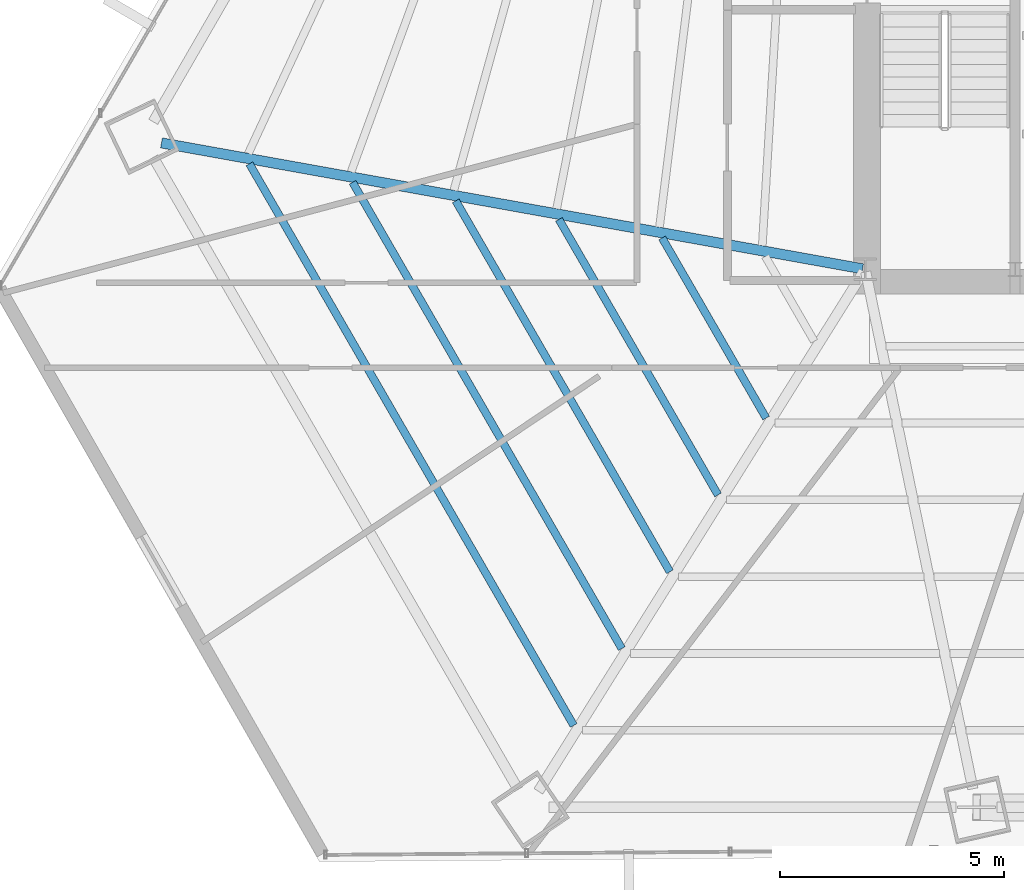
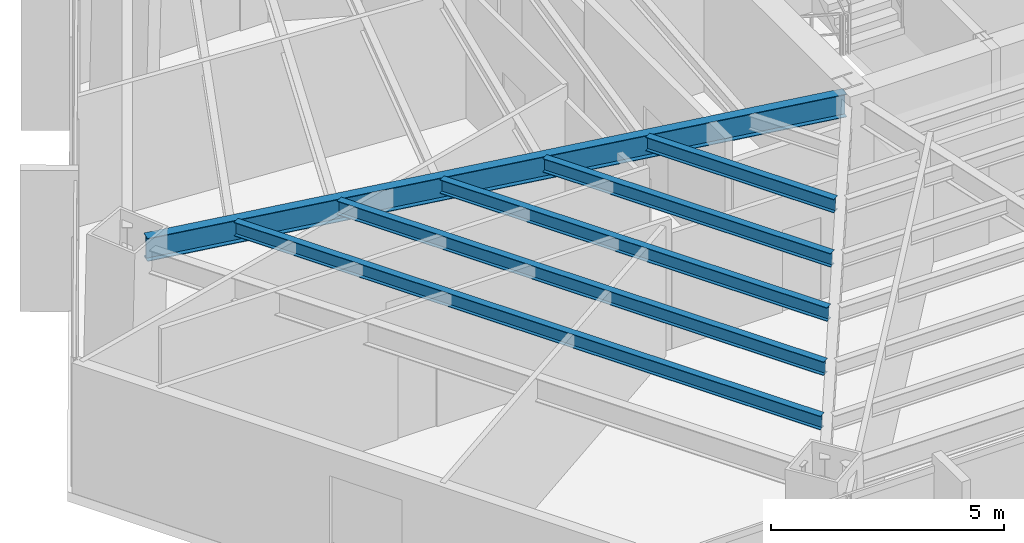
# One storey, part 6 of 35: 6 beams.
"""IFC4 building model written with IfcOpenShell, lengths in metres."""

from ifc_helpers import new_model, si_unit, direction, frame, origin, origin_2d, place, context, subcontext, project, spatial, i_section, extrude, source, transform, mapped, material, material_profile, profile_set, type_object, type_shapes, element, save


model = new_model("IFC4")

# Units and contexts
model_context = context("Model", 3, precision=1e-05, world=origin(), true_north=direction((0.0, 1.0)))
body_context = subcontext(model_context, "Body", "Model", "MODEL_VIEW")
ifc_project = project(units=[si_unit("LENGTHUNIT", "METRE"), si_unit("AREAUNIT", "SQUARE_METRE"), si_unit("VOLUMEUNIT", "CUBIC_METRE"), si_unit("PLANEANGLEUNIT", "RADIAN"), si_unit("MASSUNIT", "GRAM", prefix="KILO")], contexts=[model_context])

# Site, building, storey
site_placement = place(None, origin())
site = spatial("IfcSite", under=ifc_project, at=site_placement, CompositionType="ELEMENT")
building_placement = place(site_placement, origin())
building = spatial("IfcBuilding", under=site, at=building_placement, Name="Caelisora Broadcast Tower", CompositionType="ELEMENT")
storey_placement = place(building_placement, frame((0.0, 0.0, 53.14990234375)))
storey = spatial("IfcBuildingStorey", under=building, at=storey_placement, Name="L13", CompositionType="ELEMENT", Elevation=53.14990234375)

# Beams
ifc_material = material(Name="Steel Grade 350 (AS/NZS 3679.1)", Category="steel")
ifc_material_profile_1 = material_profile(ifc_material, i_section(OverallWidth=0.22802734375, OverallDepth=0.602294921875, WebThickness=0.010498046875, FlangeThickness=0.014892578125, at=origin_2d()), Name="Steel Grade 350 (AS/NZS 3679.1)")
ifc_profile_set_1 = profile_set([ifc_material_profile_1], Name="Steel Grade 350 (AS/NZS 3679.1)")
beam_type_1 = type_object("IfcBeamType", Name="PG04", PredefinedType="BEAM", material=ifc_profile_set_1)
shared_shape_1 = source(origin(), body_context, "Body", "SweptSolid", [
    extrude(i_section(OverallWidth=0.22802734375, OverallDepth=0.602294921875, WebThickness=0.010498046875, FlangeThickness=0.014892578125, at=origin_2d()), origin(), (0.0, 0.0, 1.0), 15.91796875),
])
type_shapes(beam_type_1, [shared_shape_1])
beam_1_placement = place(storey_placement, frame((30.44091796875, 17.41064453125, 3.098876953125), z_axis=(-0.984255816877, 0.17674978626, 0.0), x_axis=(-0.17674978626, -0.984255816877, 0.0)))
element("IfcBeam", 1, at=beam_1_placement, inside=storey, type_object=beam_type_1, Name="L13 beam PG04", PredefinedType="BEAM", context=body_context, shape_type="MappedRepresentation", body=[
    mapped(shared_shape_1, transform((0.0, 0.0, 0.0), scale=1.0)),
])
ifc_material_profile_2 = material_profile(ifc_material, i_section(OverallWidth=0.172119140625, OverallDepth=0.358642578125, WebThickness=0.008056640625, FlangeThickness=0.012939453125, at=origin_2d()), Name="Steel Grade 350 (AS/NZS 3679.1)")
ifc_profile_set_2 = profile_set([ifc_material_profile_2], Name="Steel Grade 350 (AS/NZS 3679.1)")
beam_type_2 = type_object("IfcBeamType", Name="SB02", PredefinedType="JOIST", material=ifc_profile_set_2)
shared_shape_2 = source(origin(), body_context, "Body", "SweptSolid", [
    extrude(i_section(OverallWidth=0.172119140625, OverallDepth=0.358642578125, WebThickness=0.008056640625, FlangeThickness=0.012939453125, at=origin_2d()), origin(), (0.0, 0.0, 1.0), 4.64990234375),
])
beam_2_placement = place(storey_placement, frame((25.9619140625, 18.101318359375, 3.220703125), z_axis=(0.500007271693, -0.86602120543, 0.0), x_axis=(0.86602120543, 0.500007271693, 0.0)))
element("IfcBeam", 2, at=beam_2_placement, inside=storey, type_object=beam_type_2, Name="L13 beam SB02", PredefinedType="JOIST", context=body_context, shape_type="MappedRepresentation", body=[
    mapped(shared_shape_2, transform((0.0, 0.0, 0.0), scale=1.0)),
])
shared_shape_3 = source(origin(), body_context, "Body", "SweptSolid", [
    extrude(i_section(OverallWidth=0.172119140625, OverallDepth=0.358642578125, WebThickness=0.008056640625, FlangeThickness=0.012939453125, at=origin_2d()), origin(), (0.0, 0.0, 1.0), 7.111083984375),
])
beam_3_placement = place(storey_placement, frame((23.656005859375, 18.515380859375, 3.220703125), z_axis=(0.500023607337, -0.866011773653, 0.0), x_axis=(0.866011773653, 0.500023607337, 0.0)))
element("IfcBeam", 3, at=beam_3_placement, inside=storey, type_object=beam_type_2, Name="L13 beam SB02", PredefinedType="JOIST", context=body_context, shape_type="MappedRepresentation", body=[
    mapped(shared_shape_3, transform((0.0, 0.0, 0.0), scale=1.0)),
])
shared_shape_4 = source(origin(), body_context, "Body", "SweptSolid", [
    extrude(i_section(OverallWidth=0.172119140625, OverallDepth=0.358642578125, WebThickness=0.008056640625, FlangeThickness=0.012939453125, at=origin_2d()), origin(), (0.0, 0.0, 1.0), 9.572265625),
])
beam_4_placement = place(storey_placement, frame((21.3505859375, 18.929443359375, 3.220703125), z_axis=(0.500001369806, -0.866024612925, 0.0), x_axis=(0.866024612925, 0.500001369806, 0.0)))
element("IfcBeam", 4, at=beam_4_placement, inside=storey, type_object=beam_type_2, Name="L13 beam SB02", PredefinedType="JOIST", context=body_context, shape_type="MappedRepresentation", body=[
    mapped(shared_shape_4, transform((0.0, 0.0, 0.0), scale=1.0)),
])
shared_shape_5 = source(origin(), body_context, "Body", "SweptSolid", [
    extrude(i_section(OverallWidth=0.172119140625, OverallDepth=0.358642578125, WebThickness=0.008056640625, FlangeThickness=0.012939453125, at=origin_2d()), origin(), (0.0, 0.0, 1.0), 12.033203125),
])
beam_5_placement = place(storey_placement, frame((19.044921875, 19.343505859375, 3.220703125), z_axis=(0.499997013887, -0.866027127811, 0.0), x_axis=(0.866027127811, 0.499997013887, 0.0)))
element("IfcBeam", 5, at=beam_5_placement, inside=storey, type_object=beam_type_2, Name="L13 beam SB02", PredefinedType="JOIST", context=body_context, shape_type="MappedRepresentation", body=[
    mapped(shared_shape_5, transform((0.0, 0.0, 0.0), scale=1.0)),
])
shared_shape_6 = source(origin(), body_context, "Body", "SweptSolid", [
    extrude(i_section(OverallWidth=0.172119140625, OverallDepth=0.358642578125, WebThickness=0.008056640625, FlangeThickness=0.012939453125, at=origin_2d()), origin(), (0.0, 0.0, 1.0), 14.494384765625),
])
type_shapes(beam_type_2, [shared_shape_2, shared_shape_3, shared_shape_4, shared_shape_5, shared_shape_6])
beam_6_placement = place(storey_placement, frame((16.7392578125, 19.757568359375, 3.220703125), z_axis=(0.499994137172, -0.866028788663, 0.0), x_axis=(0.866028788663, 0.499994137172, 0.0)))
element("IfcBeam", 6, at=beam_6_placement, inside=storey, type_object=beam_type_2, Name="L13 beam SB02", PredefinedType="JOIST", context=body_context, shape_type="MappedRepresentation", body=[
    mapped(shared_shape_6, transform((0.0, 0.0, 0.0), scale=1.0)),
])

save(model, "model.ifc")
